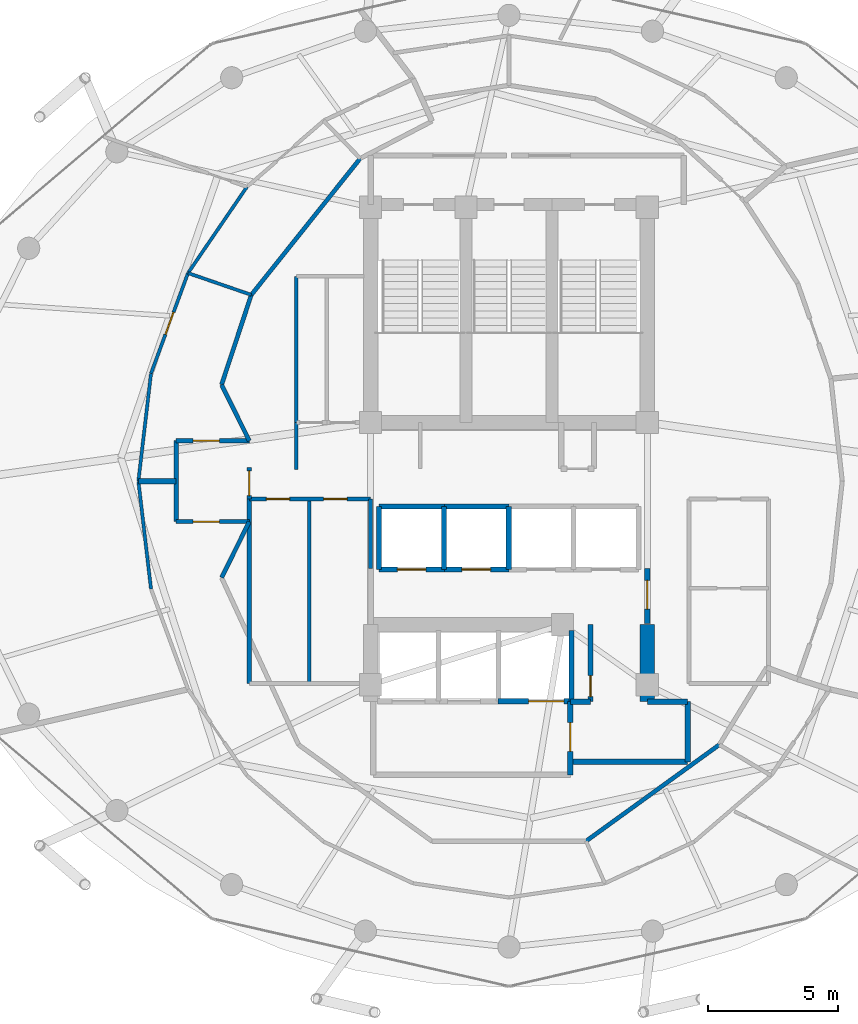
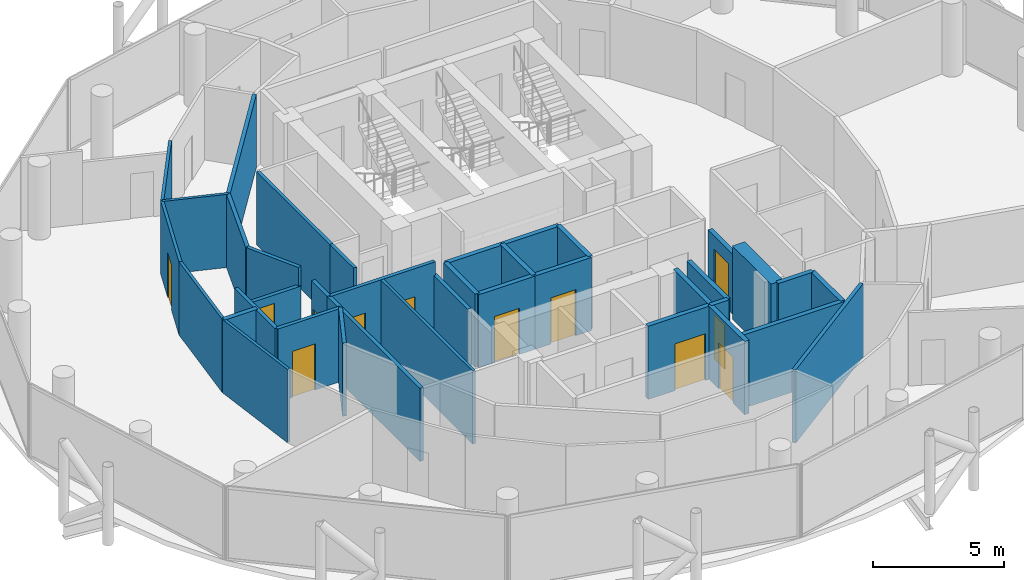
# One storey, part 23 of 27: 38 walls, 12 doors, 12 openings.
"""IFC4 building model written with IfcOpenShell, lengths in metres."""

from ifc_helpers import new_model, si_unit, direction, frame, frame_2d, origin, place, context, subcontext, project, spatial, rectangle, extrude, material, layer, layer_set, type_object, element, fill, save


model = new_model("IFC4")

# Units and contexts
model_context = context("Model", 3, precision=1e-05, world=origin(), true_north=direction((0.0, 1.0)))
body_context = subcontext(model_context, "Body", "Model", "MODEL_VIEW")
ifc_project = project(units=[si_unit("LENGTHUNIT", "METRE"), si_unit("AREAUNIT", "SQUARE_METRE"), si_unit("VOLUMEUNIT", "CUBIC_METRE"), si_unit("PLANEANGLEUNIT", "RADIAN"), si_unit("MASSUNIT", "GRAM", prefix="KILO")], contexts=[model_context])

# Site, building, storey
site_placement = place(None, origin())
site = spatial("IfcSite", under=ifc_project, at=site_placement, CompositionType="ELEMENT")
building_placement = place(site_placement, origin())
building = spatial("IfcBuilding", under=site, at=building_placement, Name="Nuhasar Tower", CompositionType="ELEMENT")
storey_placement = place(building_placement, frame((0.0, 0.0, 211.800048828125)))
storey = spatial("IfcBuildingStorey", under=building, at=storey_placement, Name="L51", CompositionType="ELEMENT", Elevation=211.800048828125)

# Walls
ifc_material_1 = material(Name="Concrete C55/67", Category="concrete")
ifc_layer_1 = layer(ifc_material_1, 0.550048828125)
ifc_layer_set_1 = layer_set([ifc_layer_1], Name="Concrete C55/67")
wall_type_1 = type_object("IfcWallType", Name="WL-CORE-550", PredefinedType="SHEAR", material=ifc_layer_set_1)
wall_1_placement = place(storey_placement, frame((44.300048828125, 18.35009765625, 0.0), z_axis=(0.0, 0.0, 1.0), x_axis=(0.0, 1.0, 0.0)))
element("IfcWall", 1, at=wall_1_placement, inside=storey, type_object=wall_type_1, Name="L51 Core Shear Wall CW-SE CW-550", PredefinedType="SHEAR", context=body_context, shape_type="SweptSolid", body=[
    extrude(rectangle(XDim=2.949951171875, YDim=0.550048828125, at=frame_2d((1.47509765625, 0.0))), origin(), (0.0, 0.0, 1.0), 3.409912109375),
])
ifc_material_2 = material(Name="Gypsum Board", Category="gypsum")
ifc_layer_2 = layer(ifc_material_2, 0.159912109375)
ifc_layer_set_2 = layer_set([ifc_layer_2], Name="Gypsum Board")
wall_type_2 = type_object("IfcWallType", Name="WL-CORR-160", PredefinedType="PARTITIONING", material=ifc_layer_set_2)
wall_2_placement = place(storey_placement, frame((29.050048828125, 19.050048828125, 0.0), z_axis=(0.0, 0.0, 1.0), x_axis=(0.0, 1.0, 0.0)))
element("IfcWall", 2, at=wall_2_placement, inside=storey, type_object=wall_type_2, Name="L51 Interior Partition RECL-B1-W", PredefinedType="PARTITIONING", context=body_context, shape_type="SweptSolid", body=[
    extrude(rectangle(XDim=7.070068359375, YDim=0.159912109375, at=frame_2d((3.53515625, 0.0))), origin(), (0.0, 0.0, 1.0), 3.409912109375),
])
wall_3_placement = place(storey_placement, frame((33.699951171875, 23.449951171875, 0.0), z_axis=(0.0, 0.0, 1.0), x_axis=(0.0, 1.0, 0.0)))
element("IfcWall", 3, at=wall_3_placement, inside=storey, type_object=wall_type_2, Name="L51 Interior Partition RECL-B1-E", PredefinedType="PARTITIONING", context=body_context, shape_type="SweptSolid", body=[
    extrude(rectangle(XDim=2.670166015625, YDim=0.159912109375, at=frame_2d((1.3349609375, 0.0))), origin(), (0.0, 0.0, 1.0), 2.794921875),
])

# Wall, openings, doors
wall_4_placement = place(storey_placement, frame((33.699951171875, 26.1201171875, 0.0), z_axis=(0.0, 0.0, 1.0), x_axis=(-1.0, 0.0, 0.0)))
wall_4 = element("IfcWall", 4, at=wall_4_placement, inside=storey, type_object=wall_type_2, Name="L51 Interior Partition RECL-B1-N", PredefinedType="PARTITIONING", context=body_context, shape_type="SweptSolid", body=[
    extrude(rectangle(XDim=4.64990234375, YDim=0.159912109375, at=frame_2d((2.324951171875, 0.0))), origin(), (0.0, 0.0, 1.0), 3.409912109375),
])
opening_1_placement = place(wall_4_placement, frame((3.10009765625, 0.0, 0.0)))
opening_1 = element("IfcOpeningElement", 5, at=opening_1_placement, cuts=wall_4, Name="Opening DR-01", PredefinedType="OPENING", context=body_context, shape_type="SweptSolid", body=[
    extrude(rectangle(XDim=0.89990234375, YDim=2.10009765625, at=frame_2d((0.449951171875, 1.050048828125))), frame((0.0, 0.08984375, 0.0), z_axis=(0.0, -1.0, 0.0), x_axis=(1.0, 0.0, 0.0)), (0.0, 0.0, 1.0), 0.179931640625),
])
opening_2_placement = place(wall_4_placement, frame((0.89990234375, 0.0, 0.0)))
opening_2 = element("IfcOpeningElement", 6, at=opening_2_placement, cuts=wall_4, Name="Opening DR-01", PredefinedType="OPENING", context=body_context, shape_type="SweptSolid", body=[
    extrude(rectangle(XDim=0.89990234375, YDim=2.10009765625, at=frame_2d((0.449951171875, 1.050048828125))), frame((0.0, 0.08984375, 0.0), z_axis=(0.0, -1.0, 0.0), x_axis=(1.0, 0.0, 0.0)), (0.0, 0.0, 1.0), 0.179931640625),
])
ifc_material_3 = material(Name="Timber Oak", Category="wood")
door_type_1 = type_object("IfcDoorType", Name="DR-ROOM-900", OperationType="NOTDEFINED", PredefinedType="DOOR", material=ifc_material_3)
door_1_placement = place(opening_1_placement, origin())
door_1 = element("IfcDoor", 7, at=door_1_placement, inside=storey, type_object=door_type_1, Name="L51 Housekeeping Door", OperationType="SINGLE_SWING_RIGHT", OverallHeight=2.10009765625, OverallWidth=0.89990234375, PredefinedType="DOOR", context=body_context, shape_type="SweptSolid", body=[
    extrude(rectangle(XDim=0.89990234375, YDim=2.10009765625, at=frame_2d((0.449951171875, 1.050048828125))), frame((0.0, 0.02490234375, 0.0), z_axis=(0.0, -1.0, 0.0), x_axis=(1.0, 0.0, 0.0)), (0.0, 0.0, 1.0), 0.050048828125),
])
fill(opening_1, door_1)
door_2_placement = place(opening_2_placement, origin())
door_2 = element("IfcDoor", 8, at=door_2_placement, inside=storey, type_object=door_type_1, Name="L51 Valet Pantry Door", OperationType="SINGLE_SWING_LEFT", OverallHeight=2.10009765625, OverallWidth=0.89990234375, PredefinedType="DOOR", context=body_context, shape_type="SweptSolid", body=[
    extrude(rectangle(XDim=0.89990234375, YDim=2.10009765625, at=frame_2d((0.449951171875, 1.050048828125))), frame((0.0, 0.02490234375, 0.0), z_axis=(0.0, -1.0, 0.0), x_axis=(1.0, 0.0, 0.0)), (0.0, 0.0, 1.0), 0.050048828125),
])
fill(opening_2, door_2)

# Wall, opening, door
wall_5_placement = place(storey_placement, frame((29.050048828125, 26.1201171875, 0.0), z_axis=(0.0, 0.0, 1.0), x_axis=(0.0, 1.0, 0.0)))
wall_5 = element("IfcWall", 9, at=wall_5_placement, inside=storey, type_object=wall_type_2, Name="L51 Interior Partition WVEST-E", PredefinedType="PARTITIONING", context=body_context, shape_type="SweptSolid", body=[
    extrude(rectangle(XDim=1.199951171875, YDim=0.159912109375, at=frame_2d((0.60009765625, 0.0))), origin(), (0.0, 0.0, 1.0), 3.409912109375),
])
opening_3_placement = place(wall_5_placement, frame((0.125, 0.0, 0.0)))
opening_3 = element("IfcOpeningElement", 10, at=opening_3_placement, cuts=wall_5, Name="Opening DO-01", PredefinedType="OPENING", context=body_context, shape_type="SweptSolid", body=[
    extrude(rectangle(XDim=0.949951171875, YDim=2.14990234375, at=frame_2d((0.47509765625, 1.074951171875))), frame((0.0, 0.08984375, 0.0), z_axis=(0.0, -1.0, 0.0), x_axis=(1.0, 0.0, 0.0)), (0.0, 0.0, 1.0), 0.179931640625),
])
door_type_2 = type_object("IfcDoorType", Name="DR-OFFICE-FD30-950", OperationType="NOTDEFINED", PredefinedType="DOOR", material=ifc_material_3)
door_3_placement = place(opening_3_placement, origin())
door_3 = element("IfcDoor", 11, at=door_3_placement, inside=storey, type_object=door_type_2, Name="L51 West Arrival Foyer Core Door", OperationType="SINGLE_SWING_RIGHT", OverallHeight=2.14990234375, OverallWidth=0.949951171875, PredefinedType="DOOR", context=body_context, shape_type="SweptSolid", body=[
    extrude(rectangle(XDim=0.949951171875, YDim=2.14990234375, at=frame_2d((0.47509765625, 1.074951171875))), frame((0.0, 0.02490234375, 0.0), z_axis=(0.0, -1.0, 0.0), x_axis=(1.0, 0.0, 0.0)), (0.0, 0.0, 1.0), 0.050048828125),
])
fill(opening_3, door_3)

# Walls
wall_6_placement = place(storey_placement, frame((33.300048828125, 39.1669921875, 0.0), z_axis=(0.0, 0.0, 1.0), x_axis=(-0.623915746766, -0.781491612839, 0.0)))
element("IfcWall", 12, at=wall_6_placement, inside=storey, type_object=wall_type_2, Name="L51 Interior Partition UWEST-CORE-N2-16", PredefinedType="PARTITIONING", context=body_context, shape_type="SweptSolid", body=[
    extrude(rectangle(XDim=6.6884765625, YDim=0.159912109375, at=frame_2d((3.34423828125, 0.0))), origin(), (0.0, 0.0, 1.0), 3.409912109375),
])
wall_7_placement = place(storey_placement, frame((29.126953125, 33.93994140625, 0.0), z_axis=(0.0, 0.0, 1.0), x_axis=(-0.313985571683, -0.949427754374, 0.0)))
element("IfcWall", 13, at=wall_7_placement, inside=storey, type_object=wall_type_2, Name="L51 Interior Partition UWEST-CORE-N2-20", PredefinedType="PARTITIONING", context=body_context, shape_type="SweptSolid", body=[
    extrude(rectangle(XDim=3.627197265625, YDim=0.159912109375, at=frame_2d((1.8134765625, 0.0))), origin(), (0.0, 0.0, 1.0), 3.409912109375),
])
wall_8_placement = place(storey_placement, frame((41.950927734375, 13.007080078125, 0.0), z_axis=(0.0, 0.0, 1.0), x_axis=(0.810290119061, 0.586028943784, 0.0)))
element("IfcWall", 14, at=wall_8_placement, inside=storey, type_object=wall_type_2, Name="L51 Interior Partition UWEST-CORE-S1-38", PredefinedType="PARTITIONING", context=body_context, shape_type="SweptSolid", body=[
    extrude(rectangle(XDim=6.306396484375, YDim=0.159912109375, at=frame_2d((3.1533203125, 0.0))), origin(), (0.0, 0.0, 1.0), 3.409912109375),
])

# Wall, opening, door
wall_9_placement = place(storey_placement, frame((26.25, 28.35009765625, 0.0), z_axis=(0.0, 0.0, 1.0), x_axis=(1.0, 0.0, 0.0)))
wall_9 = element("IfcWall", 15, at=wall_9_placement, inside=storey, type_object=wall_type_2, Name="L51 Interior Partition WVEST-N", PredefinedType="PARTITIONING", context=body_context, shape_type="SweptSolid", body=[
    extrude(rectangle(XDim=2.800048828125, YDim=0.159912109375, at=frame_2d((1.39990234375, 0.0))), origin(), (0.0, 0.0, 1.0), 2.550048828125),
])
opening_4_placement = place(wall_9_placement, frame((0.64990234375, 0.0, 0.0)))
opening_4 = element("IfcOpeningElement", 16, at=opening_4_placement, cuts=wall_9, Name="Opening DU-02", PredefinedType="OPENING", context=body_context, shape_type="SweptSolid", body=[
    extrude(rectangle(XDim=1.0, YDim=2.14990234375, at=frame_2d((0.5, 1.074951171875))), frame((0.0, 0.08984375, 0.0), z_axis=(0.0, -1.0, 0.0), x_axis=(1.0, 0.0, 0.0)), (0.0, 0.0, 1.0), 0.179931640625),
])
door_type_3 = type_object("IfcDoorType", Name="DR-FLAT-FD60-1000", OperationType="NOTDEFINED", PredefinedType="DOOR", material=ifc_material_3)
door_4_placement = place(opening_4_placement, origin())
door_4 = element("IfcDoor", 17, at=door_4_placement, inside=storey, type_object=door_type_3, Name="L51 North-West Sky Home Entrance", OperationType="SINGLE_SWING_LEFT", OverallHeight=2.14990234375, OverallWidth=1.0, PredefinedType="DOOR", context=body_context, shape_type="SweptSolid", body=[
    extrude(rectangle(XDim=1.0, YDim=2.14990234375, at=frame_2d((0.5, 1.074951171875))), frame((0.0, 0.02490234375, 0.0), z_axis=(0.0, -1.0, 0.0), x_axis=(1.0, 0.0, 0.0)), (0.0, 0.0, 1.0), 0.050048828125),
])
fill(opening_4, door_4)

wall_10_placement = place(storey_placement, frame((26.25, 25.25, 0.0), z_axis=(0.0, 0.0, 1.0), x_axis=(1.0, 0.0, 0.0)))
wall_10 = element("IfcWall", 18, at=wall_10_placement, inside=storey, type_object=wall_type_2, Name="L51 Interior Partition WVEST-S", PredefinedType="PARTITIONING", context=body_context, shape_type="SweptSolid", body=[
    extrude(rectangle(XDim=2.800048828125, YDim=0.159912109375, at=frame_2d((1.39990234375, 0.0))), origin(), (0.0, 0.0, 1.0), 3.409912109375),
])
opening_5_placement = place(wall_10_placement, frame((0.64990234375, 0.0, 0.0)))
opening_5 = element("IfcOpeningElement", 19, at=opening_5_placement, cuts=wall_10, Name="Opening DU-02", PredefinedType="OPENING", context=body_context, shape_type="SweptSolid", body=[
    extrude(rectangle(XDim=1.0, YDim=2.14990234375, at=frame_2d((0.5, 1.074951171875))), frame((0.0, 0.08984375, 0.0), z_axis=(0.0, -1.0, 0.0), x_axis=(1.0, 0.0, 0.0)), (0.0, 0.0, 1.0), 0.179931640625),
])
door_5_placement = place(opening_5_placement, origin())
door_5 = element("IfcDoor", 20, at=door_5_placement, inside=storey, type_object=door_type_3, Name="L51 South-West Sky Home Entrance", OperationType="SINGLE_SWING_LEFT", OverallHeight=2.14990234375, OverallWidth=1.0, PredefinedType="DOOR", context=body_context, shape_type="SweptSolid", body=[
    extrude(rectangle(XDim=1.0, YDim=2.14990234375, at=frame_2d((0.5, 1.074951171875))), frame((0.0, 0.02490234375, 0.0), z_axis=(0.0, -1.0, 0.0), x_axis=(1.0, 0.0, 0.0)), (0.0, 0.0, 1.0), 0.050048828125),
])
fill(opening_5, door_5)

# Walls
wall_11_placement = place(storey_placement, frame((26.25, 25.25, 0.0), z_axis=(0.0, 0.0, 1.0), x_axis=(0.0, 1.0, 0.0)))
element("IfcWall", 21, at=wall_11_placement, inside=storey, type_object=wall_type_2, Name="L51 Interior Partition WVEST-W", PredefinedType="PARTITIONING", context=body_context, shape_type="SweptSolid", body=[
    extrude(rectangle(XDim=3.10009765625, YDim=0.159912109375, at=frame_2d((1.550048828125, 0.0))), origin(), (0.0, 0.0, 1.0), 3.409912109375),
])
for number, where, z_axis, x_axis, name in (
    (22, (27.988037109375, 30.49609375, 0.0), (0.0, 0.0, 1.0), (0.443539160525, -0.896254993337, 0.0), "L51 Interior Partition WVEST-CN"),
    (23, (27.988037109375, 23.10400390625, 0.0), (0.0, 0.0, 1.0), (0.443539160525, 0.896254993337, 0.0), "L51 Interior Partition WVEST-CS"),
):
    element("IfcWall", number, at=place(storey_placement, frame(where, z_axis=z_axis, x_axis=x_axis)), inside=storey, type_object=wall_type_2, Name=name, PredefinedType="PARTITIONING", context=body_context, shape_type="SweptSolid", body=[
        extrude(rectangle(XDim=2.394287109375, YDim=0.159912109375, at=frame_2d((1.197265625, 0.0))), origin(), (0.0, 0.0, 1.0), 3.409912109375),
    ])

# Wall, opening, door
ifc_material_4 = material(Name="Concrete C45/55", Category="concrete")
ifc_layer_3 = layer(ifc_material_4, 0.199951171875)
ifc_layer_set_3 = layer_set([ifc_layer_3], Name="Concrete C45/55")
wall_type_3 = type_object("IfcWallType", Name="WL-LOBBY-200", PredefinedType="SOLIDWALL", material=ifc_layer_set_3)
wall_12_placement = place(storey_placement, frame((44.300048828125, 21.35009765625, 0.0), z_axis=(0.0, 0.0, 1.0), x_axis=(0.0, 1.0, 0.0)))
wall_12 = element("IfcWall", 24, at=wall_12_placement, inside=storey, type_object=wall_type_3, Name="L51 Interior Partition LLBH-E", PredefinedType="SOLIDWALL", context=body_context, shape_type="SweptSolid", body=[
    extrude(rectangle(XDim=2.099853515625, YDim=0.199951171875, at=frame_2d((1.0498046875, 0.0))), origin(), (0.0, 0.0, 1.0), 2.794921875),
])
opening_6_placement = place(wall_12_placement, frame((0.550048828125, 0.0, 0.0)))
opening_6 = element("IfcOpeningElement", 25, at=opening_6_placement, cuts=wall_12, Name="Opening DS-02", PredefinedType="OPENING", context=body_context, shape_type="SweptSolid", body=[
    extrude(rectangle(XDim=1.10009765625, YDim=2.14990234375, at=frame_2d((0.550048828125, 1.074951171875))), frame((0.0, 0.10986328125, 0.0), z_axis=(0.0, -1.0, 0.0), x_axis=(1.0, 0.0, 0.0)), (0.0, 0.0, 1.0), 0.219970703125),
])
ifc_material_5 = material(Name="Steel S355", Category="steel")
door_type_4 = type_object("IfcDoorType", Name="DR-FFL-FD120-1100", OperationType="NOTDEFINED", PredefinedType="DOOR", material=ifc_material_5)
door_6_placement = place(opening_6_placement, origin())
door_6 = element("IfcDoor", 26, at=door_6_placement, inside=storey, type_object=door_type_4, Name="L51 High-Rise Lobby East Door", OperationType="SINGLE_SWING_RIGHT", OverallHeight=2.14990234375, OverallWidth=1.10009765625, PredefinedType="DOOR", context=body_context, shape_type="SweptSolid", body=[
    extrude(rectangle(XDim=1.10009765625, YDim=2.14990234375, at=frame_2d((0.550048828125, 1.074951171875))), frame((0.0, 0.02490234375, 0.0), z_axis=(0.0, -1.0, 0.0), x_axis=(1.0, 0.0, 0.0)), (0.0, 0.0, 1.0), 0.050048828125),
])
fill(opening_6, door_6)

wall_13_placement = place(storey_placement, frame((41.35009765625, 15.550048828125, 0.0), z_axis=(0.0, 0.0, 1.0), x_axis=(0.0, 1.0, 0.0)))
wall_13 = element("IfcWall", 27, at=wall_13_placement, inside=storey, type_object=wall_type_3, Name="L51 Interior Partition FFL-E", PredefinedType="SOLIDWALL", context=body_context, shape_type="SweptSolid", body=[
    extrude(rectangle(XDim=2.800048828125, YDim=0.199951171875, at=frame_2d((1.39990234375, 0.0))), origin(), (0.0, 0.0, 1.0), 3.409912109375),
])
opening_7_placement = place(wall_13_placement, frame((0.89990234375, 0.0, 0.0)))
opening_7 = element("IfcOpeningElement", 28, at=opening_7_placement, cuts=wall_13, Name="Opening DS-02", PredefinedType="OPENING", context=body_context, shape_type="SweptSolid", body=[
    extrude(rectangle(XDim=1.10009765625, YDim=2.14990234375, at=frame_2d((0.550048828125, 1.074951171875))), frame((0.0, 0.10986328125, 0.0), z_axis=(0.0, -1.0, 0.0), x_axis=(1.0, 0.0, 0.0)), (0.0, 0.0, 1.0), 0.219970703125),
])
door_7_placement = place(opening_7_placement, origin())
door_7 = element("IfcDoor", 29, at=door_7_placement, inside=storey, type_object=door_type_4, Name="L51 Firefighting Lobby Door", OperationType="SINGLE_SWING_RIGHT", OverallHeight=2.14990234375, OverallWidth=1.10009765625, PredefinedType="DOOR", context=body_context, shape_type="SweptSolid", body=[
    extrude(rectangle(XDim=1.10009765625, YDim=2.14990234375, at=frame_2d((0.550048828125, 1.074951171875))), frame((0.0, 0.02490234375, 0.0), z_axis=(0.0, -1.0, 0.0), x_axis=(1.0, 0.0, 0.0)), (0.0, 0.0, 1.0), 0.050048828125),
])
fill(opening_7, door_7)

# Walls
wall_14_placement = place(storey_placement, frame((41.35009765625, 16.050048828125, 0.0), z_axis=(0.0, 0.0, 1.0), x_axis=(1.0, 0.0, 0.0)))
element("IfcWall", 30, at=wall_14_placement, inside=storey, type_object=wall_type_3, Name="L51 Interior Partition SVLV-S", PredefinedType="SOLIDWALL", context=body_context, shape_type="SweptSolid", body=[
    extrude(rectangle(XDim=4.5, YDim=0.199951171875, at=frame_2d((2.25, 0.0))), origin(), (0.0, 0.0, 1.0), 3.409912109375),
])
wall_15_placement = place(storey_placement, frame((45.85009765625, 16.050048828125, 0.0), z_axis=(0.0, 0.0, 1.0), x_axis=(0.0, 1.0, 0.0)))
element("IfcWall", 31, at=wall_15_placement, inside=storey, type_object=wall_type_3, Name="L51 Interior Partition SVLV-E", PredefinedType="SOLIDWALL", context=body_context, shape_type="SweptSolid", body=[
    extrude(rectangle(XDim=2.300048828125, YDim=0.199951171875, at=frame_2d((1.14990234375, 0.0))), origin(), (0.0, 0.0, 1.0), 3.409912109375),
])
wall_16_placement = place(storey_placement, frame((44.300048828125, 18.35009765625, 0.0), z_axis=(0.0, 0.0, 1.0), x_axis=(1.0, 0.0, 0.0)))
element("IfcWall", 32, at=wall_16_placement, inside=storey, type_object=wall_type_3, Name="L51 Interior Partition SVLV-N", PredefinedType="SOLIDWALL", context=body_context, shape_type="SweptSolid", body=[
    extrude(rectangle(XDim=1.550048828125, YDim=0.199951171875, at=frame_2d((0.77490234375, 0.0))), origin(), (0.0, 0.0, 1.0), 3.409912109375),
])
ifc_layer_4 = layer(ifc_material_2, 0.125)
ifc_layer_set_4 = layer_set([ifc_layer_4], Name="Gypsum Board")
wall_type_4 = type_object("IfcWallType", Name="WL-PART-125", PredefinedType="PARTITIONING", material=ifc_layer_set_4)
wall_17_placement = place(storey_placement, frame((31.35009765625, 19.050048828125, 0.0), z_axis=(0.0, 0.0, 1.0), x_axis=(0.0, 1.0, 0.0)))
element("IfcWall", 33, at=wall_17_placement, inside=storey, type_object=wall_type_4, Name="L51 Interior Partition RECL-B1-V", PredefinedType="PARTITIONING", context=body_context, shape_type="SweptSolid", body=[
    extrude(rectangle(XDim=7.070068359375, YDim=0.125, at=frame_2d((3.53515625, 0.0))), origin(), (0.0, 0.0, 1.0), 3.409912109375),
])
wall_18_placement = place(storey_placement, frame((29.126953125, 33.93994140625, 0.0), z_axis=(0.0, 0.0, 1.0), x_axis=(-0.945524617104, 0.325550608124, 0.0)))
element("IfcWall", 34, at=wall_18_placement, inside=storey, type_object=wall_type_4, Name="L51 Interior Partition USI-1-KD", PredefinedType="PARTITIONING", context=body_context, shape_type="SweptSolid", body=[
    extrude(rectangle(XDim=2.564697265625, YDim=0.125, at=frame_2d((1.2822265625, 0.0))), origin(), (0.0, 0.0, 1.0), 3.409912109375),
])
wall_19_placement = place(storey_placement, frame((28.958984375, 38.077880859375, 0.0), z_axis=(0.0, 0.0, 1.0), x_axis=(-0.56419813198, -0.825639429697, 0.0)))
element("IfcWall", 35, at=wall_19_placement, inside=storey, type_object=wall_type_4, Name="L51 Interior Partition USM-1-K-18", PredefinedType="PARTITIONING", context=body_context, shape_type="SweptSolid", body=[
    extrude(rectangle(XDim=4.00048828125, YDim=0.125, at=frame_2d((2.000244140625, 0.0))), origin(), (0.0, 0.0, 1.0), 3.409912109375),
])

# Wall, opening, door
wall_20_placement = place(storey_placement, frame((25.283935546875, 30.927978515625, 0.0), z_axis=(0.0, 0.0, 1.0), x_axis=(0.345851608983, 0.938289222236, 0.0)))
wall_20 = element("IfcWall", 36, at=wall_20_placement, inside=storey, type_object=wall_type_4, Name="L51 Interior Partition USM-1-D-20", PredefinedType="PARTITIONING", context=body_context, shape_type="SweptSolid", body=[
    extrude(rectangle(XDim=4.099853515625, YDim=0.125, at=frame_2d((2.0498046875, 0.0))), origin(), (0.0, 0.0, 1.0), 3.409912109375),
])
opening_8_placement = place(wall_20_placement, frame((1.60009765625, 0.0, 0.0)))
opening_8 = element("IfcOpeningElement", 37, at=opening_8_placement, cuts=wall_20, Name="Opening DR-01", PredefinedType="OPENING", context=body_context, shape_type="SweptSolid", body=[
    extrude(rectangle(XDim=0.89990234375, YDim=2.10009765625, at=frame_2d((0.449951171875, 1.050048828125))), frame((0.0, 0.072509765625, 0.0), z_axis=(0.0, -1.0, 0.0), x_axis=(1.0, 0.0, 0.0)), (0.0, 0.0, 1.0), 0.14501953125),
])
door_8_placement = place(opening_8_placement, origin())
door_8 = element("IfcDoor", 38, at=door_8_placement, inside=storey, type_object=door_type_1, Name="L51 North-West Sky Home Living Door", OperationType="SINGLE_SWING_LEFT", OverallHeight=2.10009765625, OverallWidth=0.89990234375, PredefinedType="DOOR", context=body_context, shape_type="SweptSolid", body=[
    extrude(rectangle(XDim=0.89990234375, YDim=2.10009765625, at=frame_2d((0.449951171875, 1.050048828125))), frame((0.0, 0.02490234375, 0.0), z_axis=(0.0, -1.0, 0.0), x_axis=(1.0, 0.0, 0.0)), (0.0, 0.0, 1.0), 0.050048828125),
])
fill(opening_8, door_8)

# Walls
for number, where, z_axis, x_axis, name in (
    (39, (25.283935546875, 30.927978515625, 0.0), (0.0, 0.0, 1.0), (-0.116425436493, -0.993199435027, 0.0), "L51 Interior Partition USM-1-D-22"),
    (40, (24.800048828125, 26.800048828125, 0.0), (0.0, 0.0, 1.0), (0.116425436493, -0.993199435027, 0.0), "L51 Interior Partition USM-1-D-24"),
):
    element("IfcWall", number, at=place(storey_placement, frame(where, z_axis=z_axis, x_axis=x_axis)), inside=storey, type_object=wall_type_4, Name=name, PredefinedType="PARTITIONING", context=body_context, shape_type="SweptSolid", body=[
        extrude(rectangle(XDim=4.15625, YDim=0.125, at=frame_2d((2.078125, 0.0))), origin(), (0.0, 0.0, 1.0), 3.409912109375),
    ])

# Wall, opening, door
ifc_layer_5 = layer(ifc_material_4, 0.199951171875)
ifc_layer_set_5 = layer_set([ifc_layer_5], Name="Concrete C45/55")
wall_type_5 = type_object("IfcWallType", Name="WL-SHAFT-200", PredefinedType="SOLIDWALL", material=ifc_layer_set_5)
wall_21_placement = place(storey_placement, frame((34.02001953125, 23.419921875, 0.0), z_axis=(0.0, 0.0, 1.0), x_axis=(1.0, 0.0, 0.0)))
wall_21 = element("IfcWall", 41, at=wall_21_placement, inside=storey, type_object=wall_type_5, Name="L51 Interior Partition SHF-PL-H01-S", PredefinedType="SOLIDWALL", context=body_context, shape_type="SweptSolid", body=[
    extrude(rectangle(XDim=2.5, YDim=0.199951171875, at=frame_2d((1.25, 0.0))), origin(), (0.0, 0.0, 1.0), 3.409912109375),
])
opening_9_placement = place(wall_21_placement, frame((0.699951171875, 0.0, 0.0)))
opening_9 = element("IfcOpeningElement", 42, at=opening_9_placement, cuts=wall_21, Name="Opening LD-H01", PredefinedType="OPENING", context=body_context, shape_type="SweptSolid", body=[
    extrude(rectangle(XDim=1.10009765625, YDim=2.14990234375, at=frame_2d((0.550048828125, 1.074951171875))), frame((0.0, 0.10986328125, 0.0), z_axis=(0.0, -1.0, 0.0), x_axis=(1.0, 0.0, 0.0)), (0.0, 0.0, 1.0), 0.219970703125),
])
ifc_material_6 = material(Name="Stainless Steel 316L", Category="steel")
door_type_5 = type_object("IfcDoorType", Name="LD-PAX-1100", OperationType="DOUBLE_DOOR_SLIDING", PredefinedType="DOOR", material=ifc_material_6)
door_9_placement = place(opening_9_placement, origin())
door_9 = element("IfcDoor", 43, at=door_9_placement, inside=storey, type_object=door_type_5, Name="L51 Lift Landing Door PL-H01", OperationType="DOUBLE_DOOR_SLIDING", OverallHeight=2.14990234375, OverallWidth=1.10009765625, PredefinedType="DOOR", context=body_context, shape_type="SweptSolid", body=[
    extrude(rectangle(XDim=1.10009765625, YDim=2.14990234375, at=frame_2d((0.550048828125, 1.074951171875))), frame((0.0, 0.02490234375, 0.0), z_axis=(0.0, -1.0, 0.0), x_axis=(1.0, 0.0, 0.0)), (0.0, 0.0, 1.0), 0.050048828125),
])
fill(opening_9, door_9)

# Walls
wall_22_placement = place(storey_placement, frame((34.02001953125, 25.830078125, 0.0), z_axis=(0.0, 0.0, 1.0), x_axis=(1.0, 0.0, 0.0)))
element("IfcWall", 44, at=wall_22_placement, inside=storey, type_object=wall_type_5, Name="L51 Interior Partition SHF-PL-H01-N", PredefinedType="SOLIDWALL", context=body_context, shape_type="SweptSolid", body=[
    extrude(rectangle(XDim=2.5, YDim=0.199951171875, at=frame_2d((1.25, 0.0))), origin(), (0.0, 0.0, 1.0), 3.409912109375),
])
for number, where, z_axis, x_axis, name in (
    (45, (34.02001953125, 23.419921875, 0.0), (0.0, 0.0, 1.0), (0.0, 1.0, 0.0), "L51 Interior Partition SHF-PL-H01-W"),
    (46, (36.510009765625, 23.419921875, 0.0), (0.0, 0.0, 1.0), (0.0, 1.0, 0.0), "L51 Interior Partition SHF-PL-H01-E"),
):
    element("IfcWall", number, at=place(storey_placement, frame(where, z_axis=z_axis, x_axis=x_axis)), inside=storey, type_object=wall_type_5, Name=name, PredefinedType="SOLIDWALL", context=body_context, shape_type="SweptSolid", body=[
        extrude(rectangle(XDim=2.41015625, YDim=0.199951171875, at=frame_2d((1.205078125, 0.0))), origin(), (0.0, 0.0, 1.0), 3.409912109375),
    ])

# Wall, opening, door
wall_23_placement = place(storey_placement, frame((36.5, 23.419921875, 0.0), z_axis=(0.0, 0.0, 1.0), x_axis=(1.0, 0.0, 0.0)))
wall_23 = element("IfcWall", 47, at=wall_23_placement, inside=storey, type_object=wall_type_5, Name="L51 Interior Partition SHF-PL-H02-S", PredefinedType="SOLIDWALL", context=body_context, shape_type="SweptSolid", body=[
    extrude(rectangle(XDim=2.5, YDim=0.199951171875, at=frame_2d((1.25, 0.0))), origin(), (0.0, 0.0, 1.0), 3.409912109375),
])
opening_10_placement = place(wall_23_placement, frame((0.699951171875, 0.0, 0.0)))
opening_10 = element("IfcOpeningElement", 48, at=opening_10_placement, cuts=wall_23, Name="Opening LD-H02", PredefinedType="OPENING", context=body_context, shape_type="SweptSolid", body=[
    extrude(rectangle(XDim=1.10009765625, YDim=2.14990234375, at=frame_2d((0.550048828125, 1.074951171875))), frame((0.0, 0.10986328125, 0.0), z_axis=(0.0, -1.0, 0.0), x_axis=(1.0, 0.0, 0.0)), (0.0, 0.0, 1.0), 0.219970703125),
])
door_10_placement = place(opening_10_placement, origin())
door_10 = element("IfcDoor", 49, at=door_10_placement, inside=storey, type_object=door_type_5, Name="L51 Lift Landing Door PL-H02", OperationType="DOUBLE_DOOR_SLIDING", OverallHeight=2.14990234375, OverallWidth=1.10009765625, PredefinedType="DOOR", context=body_context, shape_type="SweptSolid", body=[
    extrude(rectangle(XDim=1.10009765625, YDim=2.14990234375, at=frame_2d((0.550048828125, 1.074951171875))), frame((0.0, 0.02490234375, 0.0), z_axis=(0.0, -1.0, 0.0), x_axis=(1.0, 0.0, 0.0)), (0.0, 0.0, 1.0), 0.050048828125),
])
fill(opening_10, door_10)

# Walls
wall_24_placement = place(storey_placement, frame((36.5, 25.830078125, 0.0), z_axis=(0.0, 0.0, 1.0), x_axis=(1.0, 0.0, 0.0)))
element("IfcWall", 50, at=wall_24_placement, inside=storey, type_object=wall_type_5, Name="L51 Interior Partition SHF-PL-H02-N", PredefinedType="SOLIDWALL", context=body_context, shape_type="SweptSolid", body=[
    extrude(rectangle(XDim=2.5, YDim=0.199951171875, at=frame_2d((1.25, 0.0))), origin(), (0.0, 0.0, 1.0), 3.409912109375),
])
wall_25_placement = place(storey_placement, frame((38.989990234375, 23.419921875, 0.0), z_axis=(0.0, 0.0, 1.0), x_axis=(0.0, 1.0, 0.0)))
element("IfcWall", 51, at=wall_25_placement, inside=storey, type_object=wall_type_5, Name="L51 Interior Partition SHF-PL-H02-E", PredefinedType="SOLIDWALL", context=body_context, shape_type="SweptSolid", body=[
    extrude(rectangle(XDim=2.41015625, YDim=0.199951171875, at=frame_2d((1.205078125, 0.0))), origin(), (0.0, 0.0, 1.0), 3.409912109375),
])

# Wall, opening, door
wall_26_placement = place(storey_placement, frame((38.570068359375, 18.3701171875, 0.0), z_axis=(0.0, 0.0, 1.0), x_axis=(1.0, 0.0, 0.0)))
wall_26 = element("IfcWall", 52, at=wall_26_placement, inside=storey, type_object=wall_type_5, Name="L51 Interior Partition SHF-SVL-01-S", PredefinedType="SOLIDWALL", context=body_context, shape_type="SweptSolid", body=[
    extrude(rectangle(XDim=2.829833984375, YDim=0.199951171875, at=frame_2d((1.4150390625, 0.0))), origin(), (0.0, 0.0, 1.0), 3.409912109375),
])
opening_11_placement = place(wall_26_placement, frame((1.179931640625, 0.0, 0.0)))
opening_11 = element("IfcOpeningElement", 53, at=opening_11_placement, cuts=wall_26, Name="Opening LD-S01", PredefinedType="OPENING", context=body_context, shape_type="SweptSolid", body=[
    extrude(rectangle(XDim=1.35009765625, YDim=2.179931640625, at=frame_2d((0.675048828125, 1.08984375))), frame((0.0, 0.10986328125, 0.0), z_axis=(0.0, -1.0, 0.0), x_axis=(1.0, 0.0, 0.0)), (0.0, 0.0, 1.0), 0.219970703125),
])
door_type_6 = type_object("IfcDoorType", Name="LD-SVL-1350", OperationType="DOUBLE_DOOR_SLIDING", PredefinedType="DOOR", material=ifc_material_6)
door_11_placement = place(opening_11_placement, origin())
door_11 = element("IfcDoor", 54, at=door_11_placement, inside=storey, type_object=door_type_6, Name="L51 Lift Landing Door SVL-01", OperationType="DOUBLE_DOOR_SLIDING", OverallHeight=2.179931640625, OverallWidth=1.35009765625, PredefinedType="DOOR", context=body_context, shape_type="SweptSolid", body=[
    extrude(rectangle(XDim=1.35009765625, YDim=2.179931640625, at=frame_2d((0.675048828125, 1.08984375))), frame((0.0, 0.02490234375, 0.0), z_axis=(0.0, -1.0, 0.0), x_axis=(1.0, 0.0, 0.0)), (0.0, 0.0, 1.0), 0.050048828125),
])
fill(opening_11, door_11)

# Wall
wall_27_placement = place(storey_placement, frame((41.39990234375, 18.3701171875, 0.0), z_axis=(0.0, 0.0, 1.0), x_axis=(0.0, 1.0, 0.0)))
element("IfcWall", 55, at=wall_27_placement, inside=storey, type_object=wall_type_5, Name="L51 Interior Partition SHF-SVL-01-E", PredefinedType="SOLIDWALL", context=body_context, shape_type="SweptSolid", body=[
    extrude(rectangle(XDim=2.7099609375, YDim=0.199951171875, at=frame_2d((1.35498046875, 0.0))), origin(), (0.0, 0.0, 1.0), 3.409912109375),
])

# Wall, opening, door
wall_28_placement = place(storey_placement, frame((42.1201171875, 18.35009765625, 0.0), z_axis=(0.0, 0.0, 1.0), x_axis=(0.0, 1.0, 0.0)))
wall_28 = element("IfcWall", 56, at=wall_28_placement, inside=storey, type_object=wall_type_5, Name="L51 Interior Partition RSR-E", PredefinedType="SOLIDWALL", context=body_context, shape_type="SweptSolid", body=[
    extrude(rectangle(XDim=2.949951171875, YDim=0.199951171875, at=frame_2d((1.47509765625, 0.0))), origin(), (0.0, 0.0, 1.0), 3.409912109375),
])
opening_12_placement = place(wall_28_placement, frame((0.199951171875, 0.0, 0.0)))
opening_12 = element("IfcOpeningElement", 57, at=opening_12_placement, cuts=wall_28, Name="Opening DM-01", PredefinedType="OPENING", context=body_context, shape_type="SweptSolid", body=[
    extrude(rectangle(XDim=0.800048828125, YDim=2.050048828125, at=frame_2d((0.39990234375, 1.02490234375))), frame((0.0, 0.10986328125, 0.0), z_axis=(0.0, -1.0, 0.0), x_axis=(1.0, 0.0, 0.0)), (0.0, 0.0, 1.0), 0.219970703125),
])
door_type_7 = type_object("IfcDoorType", Name="DR-RISER-FD60-800", OperationType="NOTDEFINED", PredefinedType="DOOR", material=ifc_material_5)
door_12_placement = place(opening_12_placement, origin())
door_12 = element("IfcDoor", 58, at=door_12_placement, inside=storey, type_object=door_type_7, Name="L51 MEP Riser Access Door", OperationType="SINGLE_SWING_LEFT", OverallHeight=2.050048828125, OverallWidth=0.800048828125, PredefinedType="DOOR", context=body_context, shape_type="SweptSolid", body=[
    extrude(rectangle(XDim=0.800048828125, YDim=2.050048828125, at=frame_2d((0.39990234375, 1.02490234375))), frame((0.0, 0.02490234375, 0.0), z_axis=(0.0, -1.0, 0.0), x_axis=(1.0, 0.0, 0.0)), (0.0, 0.0, 1.0), 0.050048828125),
])
fill(opening_12, door_12)

# Walls
wall_29_placement = place(storey_placement, frame((41.35009765625, 18.35009765625, 0.0), z_axis=(0.0, 0.0, 1.0), x_axis=(1.0, 0.0, 0.0)))
element("IfcWall", 59, at=wall_29_placement, inside=storey, type_object=wall_type_5, Name="L51 Interior Partition RSR-S", PredefinedType="SOLIDWALL", context=body_context, shape_type="SweptSolid", body=[
    extrude(rectangle(XDim=0.77001953125, YDim=0.199951171875, at=frame_2d((0.385009765625, 0.0))), origin(), (0.0, 0.0, 1.0), 3.409912109375),
])
ifc_material_7 = material(Name="Concrete C40/50 precast", Category="concrete")
ifc_layer_6 = layer(ifc_material_7, 0.199951171875)
ifc_layer_set_6 = layer_set([ifc_layer_6], Name="Concrete C40/50 precast")
wall_type_6 = type_object("IfcWallType", Name="WL-UNIT-200", PredefinedType="PARTITIONING", material=ifc_layer_set_6)
wall_30_placement = place(storey_placement, frame((26.25, 26.800048828125, 0.0), z_axis=(0.0, 0.0, 1.0), x_axis=(-1.0, 0.0, 0.0)))
element("IfcWall", 60, at=wall_30_placement, inside=storey, type_object=wall_type_6, Name="L51 Interior Partition UWEST-PARTY-IN", PredefinedType="PARTITIONING", context=body_context, shape_type="SweptSolid", body=[
    extrude(rectangle(XDim=1.449951171875, YDim=0.199951171875, at=frame_2d((0.72509765625, 0.0))), origin(), (0.0, 0.0, 1.0), 3.409912109375),
])
ifc_layer_7 = layer(ifc_material_7, 0.139892578125)
ifc_layer_set_7 = layer_set([ifc_layer_7], Name="Concrete C40/50 precast")
wall_type_7 = type_object("IfcWallType", Name="WL-WET-140", PredefinedType="PARTITIONING", material=ifc_layer_set_7)
wall_31_placement = place(storey_placement, frame((30.85009765625, 27.239990234375, 0.0), z_axis=(0.0, 0.0, 1.0), x_axis=(0.0, 1.0, 0.0)))
element("IfcWall", 61, at=wall_31_placement, inside=storey, type_object=wall_type_7, Name="L51 Interior Partition K2-FOY-W", PredefinedType="PARTITIONING", context=body_context, shape_type="SweptSolid", body=[
    extrude(rectangle(XDim=1.81005859375, YDim=0.139892578125, at=frame_2d((0.905029296875, 0.0))), origin(), (0.0, 0.0, 1.0), 3.409912109375),
])
wall_32_placement = place(storey_placement, frame((30.85009765625, 29.050048828125, 0.0), z_axis=(0.0, 0.0, 1.0), x_axis=(0.0, 1.0, 0.0)))
element("IfcWall", 62, at=wall_32_placement, inside=storey, type_object=wall_type_7, Name="L51 Interior Partition K2-NW-W", PredefinedType="PARTITIONING", context=body_context, shape_type="SweptSolid", body=[
    extrude(rectangle(XDim=5.599853515625, YDim=0.139892578125, at=frame_2d((2.7998046875, 0.0))), origin(), (0.0, 0.0, 1.0), 3.409912109375),
])

save(model, "model.ifc")
